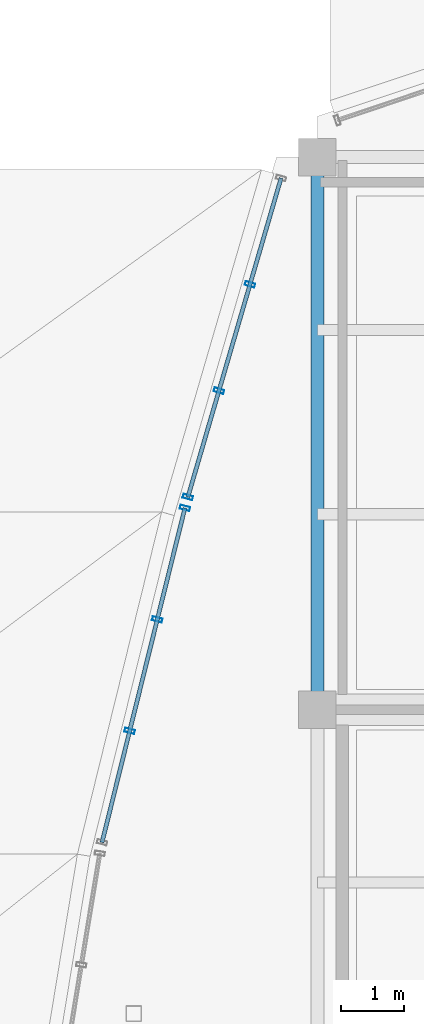
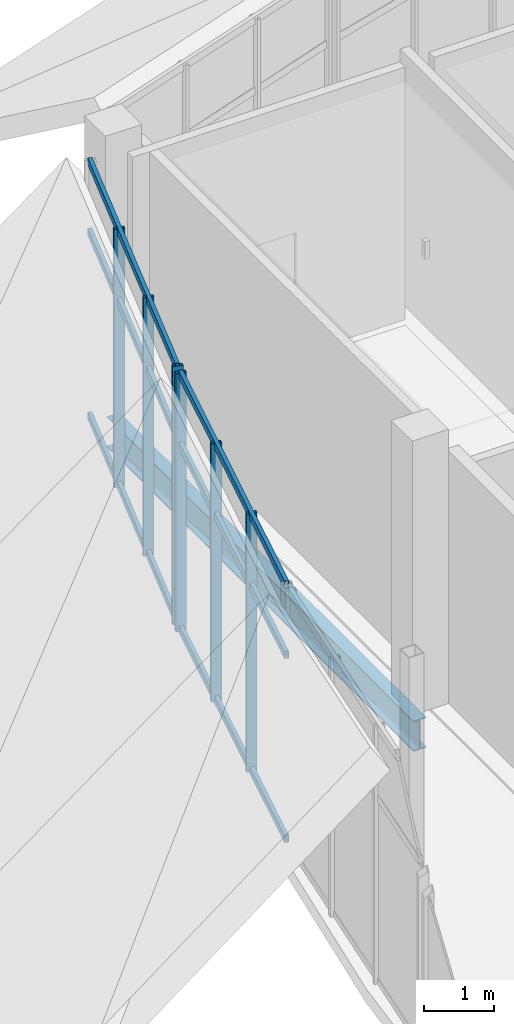
# One storey, part 28 of 116: 12 members, 1 beam, 2 elements without a shape of their own.
"""IFC4 building model written with IfcOpenShell, lengths in metres."""

from ifc_helpers import new_model, si_unit, direction, frame, origin, origin_2d, place, context, subcontext, project, spatial, hollow_rectangle, i_section, extrude, material, layer, layer_set, material_profile, profile_set, type_object, element, aggregate, save


model = new_model("IFC4")

# Units and contexts
model_context = context("Model", 3, precision=1e-05, world=origin(), true_north=direction((0.0, 1.0)))
body_context = subcontext(model_context, "Body", "Model", "MODEL_VIEW")
ifc_project = project(units=[si_unit("LENGTHUNIT", "METRE"), si_unit("AREAUNIT", "SQUARE_METRE"), si_unit("VOLUMEUNIT", "CUBIC_METRE"), si_unit("PLANEANGLEUNIT", "RADIAN"), si_unit("MASSUNIT", "GRAM", prefix="KILO")], contexts=[model_context])

# Site, building, storey
site_placement = place(None, origin())
site = spatial("IfcSite", under=ifc_project, at=site_placement, CompositionType="ELEMENT")
building_placement = place(site_placement, origin())
building = spatial("IfcBuilding", under=site, at=building_placement, Name="Chalmorin Arch Market", CompositionType="ELEMENT")
storey_placement = place(building_placement, origin())
storey = spatial("IfcBuildingStorey", under=building, at=storey_placement, Name="L00", CompositionType="ELEMENT", Elevation=0.0)

# Curtain wall, members
ifc_material_1 = material(Name="Aluminium 6063-T6", Category="aluminium")
ifc_layer_1 = layer(ifc_material_1, 0.159912109375)
ifc_layer_set_1 = layer_set([ifc_layer_1], Name="Aluminium 6063-T6")
curtain_wall_type_1 = type_object("IfcCurtainWallType", Name="RiverfrontStorefrontCurtainWall-CW2-5490x4520", PredefinedType="NOTDEFINED", material=ifc_layer_set_1)
curtain_wall_1_placement = place(storey_placement, origin())
curtain_wall_1 = element("IfcCurtainWall", 1, at=curtain_wall_1_placement, inside=storey, type_object=curtain_wall_type_1, Name="CW-02-063", PredefinedType="NOTDEFINED")
ifc_material_profile_1 = material_profile(ifc_material_1, hollow_rectangle(XDim=0.06494140625, YDim=0.159912109375, WallThickness=0.00390625, at=origin_2d()), Name="ALU65X160X4")
ifc_profile_set_1 = profile_set([ifc_material_profile_1], Name="Aluminium 6063-T6")
member_type_1 = type_object("IfcMemberType", Name="CurtainWallMullion-65x160", PredefinedType="MULLION", material=ifc_profile_set_1)
member_1_placement = place(storey_placement, frame((-2.988525390625, 40.862548828125, 0.0), z_axis=(0.0, 0.0, 1.0), x_axis=(0.2419218956, 0.970295726276, 0.0)))
member_1 = element("IfcMember", 2, at=member_1_placement, type_object=member_type_1, Name="ML-063-02", PredefinedType="MULLION", context=body_context, shape_type="SweptSolid", body=[
    extrude(hollow_rectangle(XDim=0.06494140625, YDim=0.159912109375, WallThickness=0.00390625, at=origin_2d()), origin(), (0.0, 0.0, 1.0), 4.52001953125),
])
member_2_placement = place(storey_placement, frame((-2.548583984375, 42.637451171875, 0.0), z_axis=(0.0, 0.0, 1.0), x_axis=(0.2419218956, 0.970295726276, 0.0)))
member_2 = element("IfcMember", 3, at=member_2_placement, type_object=member_type_1, Name="ML-063-03", PredefinedType="MULLION", context=body_context, shape_type="SweptSolid", body=[
    extrude(hollow_rectangle(XDim=0.06494140625, YDim=0.159912109375, WallThickness=0.00390625, at=origin_2d()), origin(), (0.0, 0.0, 1.0), 4.52001953125),
])
member_3_placement = place(storey_placement, frame((-2.108642578125, 44.41259765625, 0.0), z_axis=(0.0, 0.0, 1.0), x_axis=(0.2419218956, 0.970295726276, 0.0)))
member_3 = element("IfcMember", 4, at=member_3_placement, type_object=member_type_1, Name="ML-063-04", PredefinedType="MULLION", context=body_context, shape_type="SweptSolid", body=[
    extrude(hollow_rectangle(XDim=0.06494140625, YDim=0.159912109375, WallThickness=0.00390625, at=origin_2d()), origin(), (0.0, 0.0, 1.0), 4.52001953125),
])

ifc_layer_2 = layer(ifc_material_1, 0.159912109375)
ifc_layer_set_2 = layer_set([ifc_layer_2], Name="Aluminium 6063-T6")
curtain_wall_type_2 = type_object("IfcCurtainWallType", Name="RiverfrontStorefrontCurtainWall-CW2-5290x4520", PredefinedType="NOTDEFINED", material=ifc_layer_set_2)
curtain_wall_2_placement = place(storey_placement, origin())
curtain_wall_2 = element("IfcCurtainWall", 5, at=curtain_wall_2_placement, inside=storey, type_object=curtain_wall_type_2, Name="CW-02-066", PredefinedType="NOTDEFINED")
member_4_placement = place(storey_placement, frame((-2.061767578125, 44.58642578125, 0.0), z_axis=(0.0, 0.0, 1.0), x_axis=(0.275637355817, 0.961261695938, 0.0)))
member_4 = element("IfcMember", 6, at=member_4_placement, type_object=member_type_1, Name="ML-066-01", PredefinedType="MULLION", context=body_context, shape_type="SweptSolid", body=[
    extrude(hollow_rectangle(XDim=0.06494140625, YDim=0.159912109375, WallThickness=0.00390625, at=origin_2d()), origin(), (0.0, 0.0, 1.0), 4.52001953125),
])
member_5_placement = place(storey_placement, frame((-1.56689453125, 46.27978515625, 0.0), z_axis=(0.0, 0.0, 1.0), x_axis=(0.275637355817, 0.961261695938, 0.0)))
member_5 = element("IfcMember", 7, at=member_5_placement, type_object=member_type_1, Name="ML-066-02", PredefinedType="MULLION", context=body_context, shape_type="SweptSolid", body=[
    extrude(hollow_rectangle(XDim=0.06494140625, YDim=0.159912109375, WallThickness=0.00390625, at=origin_2d()), origin(), (0.0, 0.0, 1.0), 4.52001953125),
])
member_6_placement = place(storey_placement, frame((-1.072265625, 47.97314453125, 0.0), z_axis=(0.0, 0.0, 1.0), x_axis=(0.275637355817, 0.961261695938, 0.0)))
member_6 = element("IfcMember", 8, at=member_6_placement, type_object=member_type_1, Name="ML-066-03", PredefinedType="MULLION", context=body_context, shape_type="SweptSolid", body=[
    extrude(hollow_rectangle(XDim=0.06494140625, YDim=0.159912109375, WallThickness=0.00390625, at=origin_2d()), origin(), (0.0, 0.0, 1.0), 4.52001953125),
])

# Member
ifc_material_profile_2 = material_profile(ifc_material_1, hollow_rectangle(XDim=0.06494140625, YDim=0.1298828125, WallThickness=0.00390625, at=origin_2d()), Name="ALU65X130X4")
ifc_profile_set_2 = profile_set([ifc_material_profile_2], Name="Aluminium 6063-T6")
member_type_2 = type_object("IfcMemberType", Name="CurtainWallTransom-65x130", PredefinedType="USERDEFINED", material=ifc_profile_set_2)
member_7_placement = place(storey_placement, frame((-3.428466796875, 39.08740234375, 0.034912109375), z_axis=(0.240566657981, 0.970632620031, 0.0), x_axis=(-0.970632620031, 0.240566657981, 0.0)))
member_7 = element("IfcMember", 9, at=member_7_placement, type_object=member_type_2, Name="TR-063-01", ObjectType="TRANSOM", PredefinedType="USERDEFINED", context=body_context, shape_type="SweptSolid", body=[
    extrude(hollow_rectangle(XDim=0.06494140625, YDim=0.1298828125, WallThickness=0.00390625, at=origin_2d()), origin(), (0.0, 0.0, 1.0), 5.486328125),
])

member_8_placement = place(storey_placement, frame((-3.428466796875, 39.08740234375, 3.25439453125), z_axis=(0.240566657981, 0.970632620031, 0.0), x_axis=(-0.970632620031, 0.240566657981, 0.0)))
member_8 = element("IfcMember", 10, at=member_8_placement, type_object=member_type_2, Name="TR-063-02", ObjectType="TRANSOM", PredefinedType="USERDEFINED", context=body_context, shape_type="SweptSolid", body=[
    extrude(hollow_rectangle(XDim=0.06494140625, YDim=0.1298828125, WallThickness=0.00390625, at=origin_2d()), origin(), (0.0, 0.0, 1.0), 5.486328125),
])

member_9_placement = place(storey_placement, frame((-3.428466796875, 39.08740234375, 4.485107421875), z_axis=(0.240566657981, 0.970632620031, 0.0), x_axis=(-0.970632620031, 0.240566657981, 0.0)))
member_9 = element("IfcMember", 11, at=member_9_placement, type_object=member_type_2, Name="TR-063-03", ObjectType="TRANSOM", PredefinedType="USERDEFINED", context=body_context, shape_type="SweptSolid", body=[
    extrude(hollow_rectangle(XDim=0.06494140625, YDim=0.1298828125, WallThickness=0.00390625, at=origin_2d()), origin(), (0.0, 0.0, 1.0), 5.486328125),
])

aggregate(curtain_wall_1, [member_1, member_2, member_3, member_7, member_8, member_9])

member_10_placement = place(storey_placement, frame((-2.061767578125, 44.58642578125, 0.034912109375), z_axis=(0.280467609614, 0.959863490272, 0.0), x_axis=(-0.959863490272, 0.280467609614, 0.0)))
member_10 = element("IfcMember", 12, at=member_10_placement, type_object=member_type_2, Name="TR-066-01", ObjectType="TRANSOM", PredefinedType="USERDEFINED", context=body_context, shape_type="SweptSolid", body=[
    extrude(hollow_rectangle(XDim=0.06494140625, YDim=0.1298828125, WallThickness=0.00390625, at=origin_2d()), origin(), (0.0, 0.0, 1.0), 5.29248046875),
])

member_11_placement = place(storey_placement, frame((-2.061767578125, 44.58642578125, 3.25439453125), z_axis=(0.280467609614, 0.959863490272, 0.0), x_axis=(-0.959863490272, 0.280467609614, 0.0)))
member_11 = element("IfcMember", 13, at=member_11_placement, type_object=member_type_2, Name="TR-066-02", ObjectType="TRANSOM", PredefinedType="USERDEFINED", context=body_context, shape_type="SweptSolid", body=[
    extrude(hollow_rectangle(XDim=0.06494140625, YDim=0.1298828125, WallThickness=0.00390625, at=origin_2d()), origin(), (0.0, 0.0, 1.0), 5.29248046875),
])

member_12_placement = place(storey_placement, frame((-2.061767578125, 44.58642578125, 4.485107421875), z_axis=(0.280467609614, 0.959863490272, 0.0), x_axis=(-0.959863490272, 0.280467609614, 0.0)))
member_12 = element("IfcMember", 14, at=member_12_placement, type_object=member_type_2, Name="TR-066-03", ObjectType="TRANSOM", PredefinedType="USERDEFINED", context=body_context, shape_type="SweptSolid", body=[
    extrude(hollow_rectangle(XDim=0.06494140625, YDim=0.1298828125, WallThickness=0.00390625, at=origin_2d()), origin(), (0.0, 0.0, 1.0), 5.29248046875),
])

aggregate(curtain_wall_2, [member_4, member_5, member_6, member_10, member_11, member_12])

# Beam
ifc_material_2 = material(Name="Steel A992 Grade 50", Category="steel")
ifc_material_profile_3 = material_profile(ifc_material_2, i_section(OverallWidth=0.208984375, OverallDepth=0.532958984375, WebThickness=0.01025390625, FlangeThickness=0.015625, FilletRadius=0.02197265625, at=origin_2d()), Name="W21X62")
ifc_profile_set_3 = profile_set([ifc_material_profile_3], Name="Steel A992 Grade 50")
beam_type = type_object("IfcBeamType", Name="PerimeterSpandrelBeam-W21X62", PredefinedType="SPANDREL", material=ifc_profile_set_3)
beam_placement = place(storey_placement, frame((0.0, 41.199951171875, -0.618408203125), z_axis=(0.0, 1.0, 0.0), x_axis=(-1.0, 0.0, 0.0)))
element("IfcBeam", 15, at=beam_placement, inside=storey, type_object=beam_type, Name="SP-W21-0215", PredefinedType="SPANDREL", context=body_context, shape_type="SweptSolid", body=[
    extrude(i_section(OverallWidth=0.208984375, OverallDepth=0.532958984375, WebThickness=0.01025390625, FlangeThickness=0.015625, FilletRadius=0.02197265625, at=origin_2d()), origin(), (0.0, 0.0, 1.0), 8.800048828125),
])

save(model, "model.ifc")
